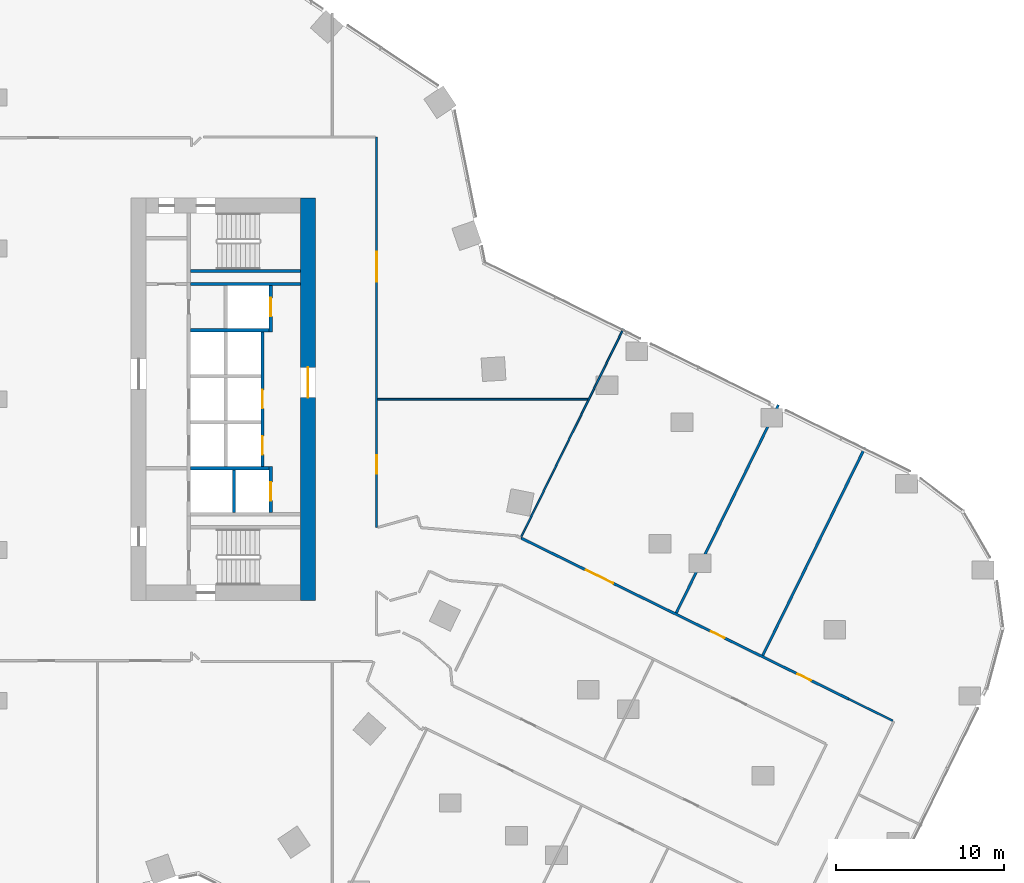
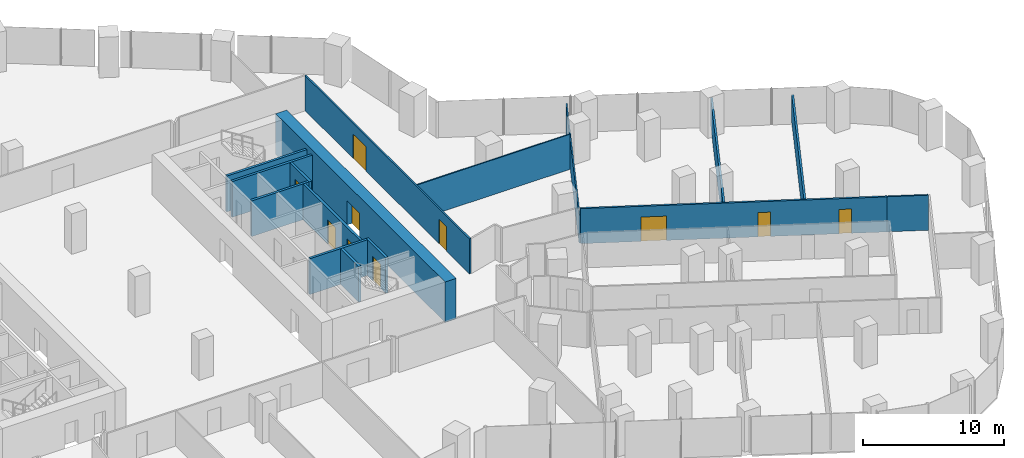
# One storey, part 31 of 38: 16 walls, 10 doors, 10 openings.
"""IFC4 building model written with IfcOpenShell, lengths in metres."""

from ifc_helpers import new_model, si_unit, direction, frame, frame_2d, origin, place, context, subcontext, project, spatial, rectangle, extrude, material, layer, layer_set, type_object, element, fill, save


model = new_model("IFC4")

# Units and contexts
model_context = context("Model", 3, precision=1e-05, world=origin(), true_north=direction((0.0, 1.0)))
body_context = subcontext(model_context, "Body", "Model", "MODEL_VIEW")
ifc_project = project(units=[si_unit("LENGTHUNIT", "METRE"), si_unit("AREAUNIT", "SQUARE_METRE"), si_unit("VOLUMEUNIT", "CUBIC_METRE"), si_unit("PLANEANGLEUNIT", "RADIAN"), si_unit("MASSUNIT", "GRAM", prefix="KILO")], contexts=[model_context])

# Site, building, storey
site_placement = place(None, origin())
site = spatial("IfcSite", under=ifc_project, at=site_placement, CompositionType="ELEMENT")
building_placement = place(site_placement, origin())
building = spatial("IfcBuilding", under=site, at=building_placement, Name="Orlundy Tower", CompositionType="ELEMENT")
storey_placement = place(building_placement, frame((0.0, 0.0, 69.300048828125)))
storey = spatial("IfcBuildingStorey", under=building, at=storey_placement, Name="L16", CompositionType="ELEMENT", Elevation=69.300048828125)

# Wall, opening, door
ifc_material_1 = material(Name="Concrete C80/95", Category="concrete")
ifc_layer_1 = layer(ifc_material_1, 0.89990234375)
ifc_layer_set_1 = layer_set([ifc_layer_1], Name="CORE WALL 900 C80/95")
wall_type_1 = type_object("IfcWallType", Name="CORE WALL 900 C80/95", PredefinedType="SHEAR", material=ifc_layer_set_1)
wall_1_placement = place(storey_placement, frame((18.550048828125, -12.0, 0.0), z_axis=(0.0, 0.0, 1.0), x_axis=(0.0, 1.0, 0.0)))
wall_1 = element("IfcWall", 1, at=wall_1_placement, inside=storey, type_object=wall_type_1, Name="Core wall E-E L16", PredefinedType="SHEAR", context=body_context, shape_type="SweptSolid", body=[
    extrude(rectangle(XDim=24.0, YDim=0.89990234375, at=frame_2d((12.0, 0.0))), origin(), (0.0, 0.0, 1.0), 3.5),
])
opening_1_placement = place(wall_1_placement, frame((12.10009765625, 0.0, 0.0)))
opening_1 = element("IfcOpeningElement", 2, at=opening_1_placement, cuts=wall_1, Name="Opening 14059", PredefinedType="OPENING", context=body_context, shape_type="SweptSolid", body=[
    extrude(rectangle(XDim=1.800048828125, YDim=2.10009765625, at=frame_2d((0.89990234375, 1.050048828125))), frame((0.0, 0.4599609375, 0.0), z_axis=(0.0, -1.0, 0.0), x_axis=(1.0, 0.0, 0.0)), (0.0, 0.0, 1.0), 0.919921875),
])
ifc_material_2 = material(Name="Timber door set", Category="wood")
door_type_1 = type_object("IfcDoorType", Name="Lobby Door 1800x2100", OperationType="DOUBLE_DOOR_DOUBLE_SWING", PredefinedType="DOOR", material=ifc_material_2)
door_1_placement = place(opening_1_placement, origin())
door_1 = element("IfcDoor", 3, at=door_1_placement, inside=storey, type_object=door_type_1, Name="Lift lobby door 14059", OperationType="SINGLE_SWING_RIGHT", OverallHeight=2.10009765625, OverallWidth=1.800048828125, PredefinedType="DOOR", context=body_context, shape_type="SweptSolid", body=[
    extrude(rectangle(XDim=1.800048828125, YDim=2.10009765625, at=frame_2d((0.89990234375, 1.050048828125))), frame((0.0, 0.02490234375, 0.0), z_axis=(0.0, -1.0, 0.0), x_axis=(1.0, 0.0, 0.0)), (0.0, 0.0, 1.0), 0.050048828125),
])
fill(opening_1, door_1)

# Walls
ifc_material_3 = material(Name="Gypsum board partition")
ifc_layer_2 = layer(ifc_material_3, 0.10009765625)
ifc_layer_set_2 = layer_set([ifc_layer_2], Name="Floor partition 100")
wall_type_2 = type_object("IfcWallType", Name="Floor partition 100", PredefinedType="PARTITIONING", material=ifc_layer_set_2)
wall_2_placement = place(storey_placement, frame((22.712890625, 0.0, 0.0), z_axis=(0.0, 0.0, 1.0), x_axis=(1.0, 0.0, 0.0)))
element("IfcWall", 4, at=wall_2_placement, inside=storey, type_object=wall_type_2, Name="wall-int-L16-051", PredefinedType="PARTITIONING", context=body_context, shape_type="SweptSolid", body=[
    extrude(rectangle(XDim=12.51904296875, YDim=0.10009765625, at=frame_2d((6.259521484375, 0.0))), origin(), (0.0, 0.0, 1.0), 3.030029296875),
])
ifc_material_4 = material(Name="Gypsum board partition")
ifc_layer_3 = layer(ifc_material_4, 0.10009765625)
ifc_layer_set_3 = layer_set([ifc_layer_3], Name="Floor partition 100 B")
wall_type_3 = type_object("IfcWallType", Name="Floor partition 100 B", PredefinedType="PARTITIONING", material=ifc_layer_set_3)
wall_3_placement = place(storey_placement, frame((31.24609375, -8.27587890625, 0.0), z_axis=(0.0, 0.0, 1.0), x_axis=(0.440984317846, 0.897514808465, 0.0)))
element("IfcWall", 5, at=wall_3_placement, inside=storey, type_object=wall_type_3, Name="wall-int-L16-079", PredefinedType="PARTITIONING", context=body_context, shape_type="SweptSolid", body=[
    extrude(rectangle(XDim=13.898193359375, YDim=0.10009765625, at=frame_2d((6.94921875, 0.0))), origin(), (0.0, 0.0, 1.0), 2.4189453125),
])
ifc_material_5 = material(Name="Gypsum board partition, double layer")
ifc_layer_4 = layer(ifc_material_5, 0.125)
ifc_layer_set_4 = layer_set([ifc_layer_4], Name="Floor partition 125")
wall_type_4 = type_object("IfcWallType", Name="Floor partition 125", PredefinedType="PARTITIONING", material=ifc_layer_set_4)
wall_4_placement = place(storey_placement, frame((53.4541015625, -19.18798828125, 0.0), z_axis=(0.0, 0.0, 1.0), x_axis=(-0.8975474006, 0.4409179784, 0.0)))
element("IfcWall", 6, at=wall_4_placement, inside=storey, type_object=wall_type_4, Name="wall-int-L16-033", PredefinedType="PARTITIONING", context=body_context, shape_type="SweptSolid", body=[
    extrude(rectangle(XDim=2.936767578125, YDim=0.125, at=frame_2d((1.46826171875, 0.0))), origin(), (0.0, 0.0, 1.0), 3.030029296875),
])

# Wall, openings, doors
wall_5_placement = place(storey_placement, frame((22.65087890625, 15.64990234375, 0.0), z_axis=(0.0, 0.0, 1.0), x_axis=(0.0, -1.0, 0.0)))
wall_5 = element("IfcWall", 7, at=wall_5_placement, inside=storey, type_object=wall_type_4, Name="wall-int-L16-092", PredefinedType="PARTITIONING", context=body_context, shape_type="SweptSolid", body=[
    extrude(rectangle(XDim=23.31884765625, YDim=0.125, at=frame_2d((11.659423828125, 0.0))), origin(), (0.0, 0.0, 1.0), 3.030029296875),
])
opening_2_placement = place(wall_5_placement, frame((19.0, 0.0, 0.0)))
opening_2 = element("IfcOpeningElement", 8, at=opening_2_placement, cuts=wall_5, Name="Opening 14131", PredefinedType="OPENING", context=body_context, shape_type="SweptSolid", body=[
    extrude(rectangle(XDim=1.10009765625, YDim=2.10009765625, at=frame_2d((0.550048828125, 1.050048828125))), frame((0.0, 0.072509765625, 0.0), z_axis=(0.0, -1.0, 0.0), x_axis=(1.0, 0.0, 0.0)), (0.0, 0.0, 1.0), 0.14501953125),
])
opening_3_placement = place(wall_5_placement, frame((6.85009765625, 0.0, 0.0)))
opening_3 = element("IfcOpeningElement", 9, at=opening_3_placement, cuts=wall_5, Name="Opening 14132", PredefinedType="OPENING", context=body_context, shape_type="SweptSolid", body=[
    extrude(rectangle(XDim=1.800048828125, YDim=2.10009765625, at=frame_2d((0.89990234375, 1.050048828125))), frame((0.0, 0.072509765625, 0.0), z_axis=(0.0, -1.0, 0.0), x_axis=(1.0, 0.0, 0.0)), (0.0, 0.0, 1.0), 0.14501953125),
])
ifc_material_6 = material(Name="Timber door leaf", Category="wood")
door_type_2 = type_object("IfcDoorType", Name="Floor door double 1800 FD30S", OperationType="NOTDEFINED", PredefinedType="DOOR", material=ifc_material_6)
door_2_placement = place(opening_3_placement, origin())
door_2 = element("IfcDoor", 10, at=door_2_placement, inside=storey, type_object=door_type_2, Name="Door 14132", OperationType="DOUBLE_DOOR_SINGLE_SWING", OverallHeight=2.10009765625, OverallWidth=1.800048828125, PredefinedType="DOOR", context=body_context, shape_type="SweptSolid", body=[
    extrude(rectangle(XDim=1.800048828125, YDim=2.10009765625, at=frame_2d((0.89990234375, 1.050048828125))), frame((0.0, 0.02490234375, 0.0), z_axis=(0.0, -1.0, 0.0), x_axis=(1.0, 0.0, 0.0)), (0.0, 0.0, 1.0), 0.050048828125),
])
fill(opening_3, door_2)
ifc_material_7 = material(Name="Timber door leaf", Category="wood")
door_type_3 = type_object("IfcDoorType", Name="Floor door xwide 1100 FD30S", OperationType="NOTDEFINED", PredefinedType="DOOR", material=ifc_material_7)
door_3_placement = place(opening_2_placement, origin())
door_3 = element("IfcDoor", 11, at=door_3_placement, inside=storey, type_object=door_type_3, Name="Door 14131", OperationType="SINGLE_SWING_RIGHT", OverallHeight=2.10009765625, OverallWidth=1.10009765625, PredefinedType="DOOR", context=body_context, shape_type="SweptSolid", body=[
    extrude(rectangle(XDim=1.10009765625, YDim=2.10009765625, at=frame_2d((0.550048828125, 1.050048828125))), frame((0.0, 0.02490234375, 0.0), z_axis=(0.0, -1.0, 0.0), x_axis=(1.0, 0.0, 0.0)), (0.0, 0.0, 1.0), 0.050048828125),
])
fill(opening_2, door_3)

# Walls
ifc_material_8 = material(Name="Blockwork shaft wall", Category="masonry")
ifc_layer_5 = layer(ifc_material_8, 0.14990234375)
ifc_layer_set_5 = layer_set([ifc_layer_5], Name="Floor shaft wall 150")
wall_type_5 = type_object("IfcWallType", Name="Floor shaft wall 150", PredefinedType="PARTITIONING", material=ifc_layer_set_5)
wall_6_placement = place(storey_placement, frame((45.68994140625, -15.2900390625, 0.0), z_axis=(0.0, 0.0, 1.0), x_axis=(0.441022179243, 0.89749620468, 0.0)))
element("IfcWall", 12, at=wall_6_placement, inside=storey, type_object=wall_type_5, Name="wall-int-L16-073", PredefinedType="PARTITIONING", context=body_context, shape_type="SweptSolid", body=[
    extrude(rectangle(XDim=13.8251953125, YDim=0.14990234375, at=frame_2d((6.91259765625, 0.0))), origin(), (0.0, 0.0, 1.0), 2.39501953125),
])
wall_7_placement = place(storey_placement, frame((40.529052734375, -12.75390625, 0.0), z_axis=(0.0, 0.0, 1.0), x_axis=(0.441035914892, 0.897489454966, 0.0)))
element("IfcWall", 13, at=wall_7_placement, inside=storey, type_object=wall_type_5, Name="wall-int-L16-076", PredefinedType="PARTITIONING", context=body_context, shape_type="SweptSolid", body=[
    extrude(rectangle(XDim=13.82421875, YDim=0.14990234375, at=frame_2d((6.912109375, 0.0))), origin(), (0.0, 0.0, 1.0), 2.39501953125),
])

# Wall, openings, doors
ifc_material_9 = material(Name="Blockwork shaft wall", Category="masonry")
ifc_layer_6 = layer(ifc_material_9, 0.14990234375)
ifc_layer_set_6 = layer_set([ifc_layer_6], Name="Floor shaft wall 150 B")
wall_type_6 = type_object("IfcWallType", Name="Floor shaft wall 150 B", PredefinedType="PARTITIONING", material=ifc_layer_set_6)
wall_8_placement = place(storey_placement, frame((31.291015625, -8.298095703125, 0.0), z_axis=(0.0, 0.0, 1.0), x_axis=(0.897505006542, -0.441004266683, 0.0)))
wall_8 = element("IfcWall", 14, at=wall_8_placement, inside=storey, type_object=wall_type_6, Name="wall-int-L16-032", PredefinedType="PARTITIONING", context=body_context, shape_type="SweptSolid", body=[
    extrude(rectangle(XDim=21.757080078125, YDim=0.14990234375, at=frame_2d((10.87841796875, 0.0))), origin(), (0.0, 0.0, 1.0), 3.030029296875),
])
opening_4_placement = place(wall_8_placement, frame((4.300048828125, 0.0, 0.0)))
opening_4 = element("IfcOpeningElement", 15, at=opening_4_placement, cuts=wall_8, Name="Opening 14100", PredefinedType="OPENING", context=body_context, shape_type="SweptSolid", body=[
    extrude(rectangle(XDim=1.800048828125, YDim=2.10009765625, at=frame_2d((0.89990234375, 1.050048828125))), frame((0.0, 0.0849609375, 0.0), z_axis=(0.0, -1.0, 0.0), x_axis=(1.0, 0.0, 0.0)), (0.0, 0.0, 1.0), 0.169921875),
])
opening_5_placement = place(wall_8_placement, frame((12.606201171875, 0.0, 0.0)))
opening_5 = element("IfcOpeningElement", 16, at=opening_5_placement, cuts=wall_8, Name="Opening 14103", PredefinedType="OPENING", context=body_context, shape_type="SweptSolid", body=[
    extrude(rectangle(XDim=0.89990234375, YDim=2.10009765625, at=frame_2d((0.449951171875, 1.050048828125))), frame((0.0, 0.0849609375, 0.0), z_axis=(0.0, -1.0, 0.0), x_axis=(1.0, 0.0, 0.0)), (0.0, 0.0, 1.0), 0.169921875),
])
opening_6_placement = place(wall_8_placement, frame((18.356689453125, 0.0, 0.0)))
opening_6 = element("IfcOpeningElement", 17, at=opening_6_placement, cuts=wall_8, Name="Opening 14106", PredefinedType="OPENING", context=body_context, shape_type="SweptSolid", body=[
    extrude(rectangle(XDim=0.89990234375, YDim=2.10009765625, at=frame_2d((0.449951171875, 1.050048828125))), frame((0.0, 0.0849609375, 0.0), z_axis=(0.0, -1.0, 0.0), x_axis=(1.0, 0.0, 0.0)), (0.0, 0.0, 1.0), 0.169921875),
])
ifc_material_10 = material(Name="Timber door leaf", Category="wood")
door_type_4 = type_object("IfcDoorType", Name="Floor door double 1800 FD60", OperationType="NOTDEFINED", PredefinedType="DOOR", material=ifc_material_10)
door_4_placement = place(opening_4_placement, origin())
door_4 = element("IfcDoor", 18, at=door_4_placement, inside=storey, type_object=door_type_4, Name="Door 14100", OperationType="DOUBLE_DOOR_SINGLE_SWING", OverallHeight=2.10009765625, OverallWidth=1.800048828125, PredefinedType="DOOR", context=body_context, shape_type="SweptSolid", body=[
    extrude(rectangle(XDim=1.800048828125, YDim=2.10009765625, at=frame_2d((0.89990234375, 1.050048828125))), frame((0.0, 0.02490234375, 0.0), z_axis=(0.0, -1.0, 0.0), x_axis=(1.0, 0.0, 0.0)), (0.0, 0.0, 1.0), 0.050048828125),
])
fill(opening_4, door_4)
ifc_material_11 = material(Name="Timber door leaf", Category="wood")
door_type_5 = type_object("IfcDoorType", Name="Floor door single 900 FD60", OperationType="NOTDEFINED", PredefinedType="DOOR", material=ifc_material_11)
door_5_placement = place(opening_5_placement, origin())
door_5 = element("IfcDoor", 19, at=door_5_placement, inside=storey, type_object=door_type_5, Name="Door 14103", OperationType="SINGLE_SWING_RIGHT", OverallHeight=2.10009765625, OverallWidth=0.89990234375, PredefinedType="DOOR", context=body_context, shape_type="SweptSolid", body=[
    extrude(rectangle(XDim=0.89990234375, YDim=2.10009765625, at=frame_2d((0.449951171875, 1.050048828125))), frame((0.0, 0.02490234375, 0.0), z_axis=(0.0, -1.0, 0.0), x_axis=(1.0, 0.0, 0.0)), (0.0, 0.0, 1.0), 0.050048828125),
])
fill(opening_5, door_5)
door_6_placement = place(opening_6_placement, origin())
door_6 = element("IfcDoor", 20, at=door_6_placement, inside=storey, type_object=door_type_5, Name="Door 14106", OperationType="SINGLE_SWING_RIGHT", OverallHeight=2.10009765625, OverallWidth=0.89990234375, PredefinedType="DOOR", context=body_context, shape_type="SweptSolid", body=[
    extrude(rectangle(XDim=0.89990234375, YDim=2.10009765625, at=frame_2d((0.449951171875, 1.050048828125))), frame((0.0, 0.02490234375, 0.0), z_axis=(0.0, -1.0, 0.0), x_axis=(1.0, 0.0, 0.0)), (0.0, 0.0, 1.0), 0.050048828125),
])
fill(opening_6, door_6)

# Walls
ifc_material_12 = material(Name="Concrete C40/50", Category="concrete")
ifc_layer_7 = layer(ifc_material_12, 0.199951171875)
ifc_layer_set_7 = layer_set([ifc_layer_7], Name="Load-bearing Shaft Wall 200")
wall_type_7 = type_object("IfcWallType", Name="Load-bearing Shaft Wall 200", PredefinedType="SOLIDWALL", material=ifc_layer_set_7)
wall_9_placement = place(storey_placement, frame((11.5400390625, 7.64990234375, 0.0), z_axis=(0.0, 0.0, 1.0), x_axis=(1.0, 0.0, 0.0)))
element("IfcWall", 21, at=wall_9_placement, inside=storey, type_object=wall_type_7, Name="Shaft wall E14-stair-side-s", PredefinedType="SOLIDWALL", context=body_context, shape_type="SweptSolid", body=[
    extrude(rectangle(XDim=6.56005859375, YDim=0.199951171875, at=frame_2d((3.280029296875, 0.0))), origin(), (0.0, 0.0, 1.0), 3.08984375),
])
ifc_material_13 = material(Name="Fire-rated blockwork shaft wall", Category="masonry")
ifc_layer_8 = layer(ifc_material_13, 0.199951171875)
ifc_layer_set_8 = layer_set([ifc_layer_8], Name="Shaft Wall 200")
wall_type_8 = type_object("IfcWallType", Name="Shaft Wall 200", PredefinedType="SOLIDWALL", material=ifc_layer_set_8)
wall_10_placement = place(storey_placement, frame((11.5400390625, 6.875, 0.0), z_axis=(0.0, 0.0, 1.0), x_axis=(1.0, 0.0, 0.0)))
element("IfcWall", 22, at=wall_10_placement, inside=storey, type_object=wall_type_8, Name="Shaft wall E14-zone-s", PredefinedType="SOLIDWALL", context=body_context, shape_type="SweptSolid", body=[
    extrude(rectangle(XDim=6.56005859375, YDim=0.199951171875, at=frame_2d((3.280029296875, 0.0))), origin(), (0.0, 0.0, 1.0), 3.08984375),
])
for number, where, z_axis, x_axis, name in (
    (23, (11.5400390625, 4.125, 0.0), (0.0, 0.0, 1.0), (1.0, 0.0, 0.0), "Shaft wall E14-cross-4.125"),
    (24, (11.5400390625, -4.125, 0.0), (0.0, 0.0, 1.0), (1.0, 0.0, 0.0), "Shaft wall E14-cross+4.125"),
):
    element("IfcWall", number, at=place(storey_placement, frame(where, z_axis=z_axis, x_axis=x_axis)), inside=storey, type_object=wall_type_8, Name=name, PredefinedType="SOLIDWALL", context=body_context, shape_type="SweptSolid", body=[
        extrude(rectangle(XDim=4.699951171875, YDim=0.199951171875, at=frame_2d((2.35009765625, 0.0))), origin(), (0.0, 0.0, 1.0), 3.08984375),
    ])
wall_11_placement = place(storey_placement, frame((14.139892578125, -4.22509765625, 0.0), z_axis=(0.0, 0.0, 1.0), x_axis=(0.0, -1.0, 0.0)))
element("IfcWall", 25, at=wall_11_placement, inside=storey, type_object=wall_type_8, Name="Shaft wall E14-mid-b", PredefinedType="SOLIDWALL", context=body_context, shape_type="SweptSolid", body=[
    extrude(rectangle(XDim=2.5498046875, YDim=0.199951171875, at=frame_2d((1.27490234375, 0.0))), origin(), (0.0, 0.0, 1.0), 3.08984375),
])

# Wall, opening, door
wall_12_placement = place(storey_placement, frame((16.340087890625, 6.77490234375, 0.0), z_axis=(0.0, 0.0, 1.0), x_axis=(0.0, -1.0, 0.0)))
wall_12 = element("IfcWall", 26, at=wall_12_placement, inside=storey, type_object=wall_type_8, Name="Shaft wall E14-front-o-a", PredefinedType="SOLIDWALL", context=body_context, shape_type="SweptSolid", body=[
    extrude(rectangle(XDim=2.75, YDim=0.199951171875, at=frame_2d((1.375, 0.0))), origin(), (0.0, 0.0, 1.0), 3.08984375),
])
opening_7_placement = place(wall_12_placement, frame((0.72509765625, 0.0, 0.0)))
opening_7 = element("IfcOpeningElement", 27, at=opening_7_placement, cuts=wall_12, Name="Opening 14050", PredefinedType="OPENING", context=body_context, shape_type="SweptSolid", body=[
    extrude(rectangle(XDim=1.10009765625, YDim=2.10009765625, at=frame_2d((0.550048828125, 1.050048828125))), frame((0.0, 0.110107421875, 0.0), z_axis=(0.0, -1.0, 0.0), x_axis=(1.0, 0.0, 0.0)), (0.0, 0.0, 1.0), 0.22021484375),
])
ifc_material_14 = material(Name="Steel door set", Category="steel")
door_type_6 = type_object("IfcDoorType", Name="Landing Door 1100x2100", OperationType="DOUBLE_DOOR_SLIDING", PredefinedType="DOOR", material=ifc_material_14)
door_7_placement = place(opening_7_placement, origin())
door_7 = element("IfcDoor", 28, at=door_7_placement, inside=storey, type_object=door_type_6, Name="Lift landing door LV-02 14050", OperationType="DOUBLE_DOOR_SLIDING", OverallHeight=2.10009765625, OverallWidth=1.10009765625, PredefinedType="DOOR", context=body_context, shape_type="SweptSolid", body=[
    extrude(rectangle(XDim=1.10009765625, YDim=2.10009765625, at=frame_2d((0.550048828125, 1.050048828125))), frame((0.0, 0.02490234375, 0.0), z_axis=(0.0, -1.0, 0.0), x_axis=(1.0, 0.0, 0.0)), (0.0, 0.0, 1.0), 0.050048828125),
])
fill(opening_7, door_7)

# Wall, openings, doors
wall_13_placement = place(storey_placement, frame((15.840087890625, 4.02490234375, 0.0), z_axis=(0.0, 0.0, 1.0), x_axis=(0.0, -1.0, 0.0)))
wall_13 = element("IfcWall", 29, at=wall_13_placement, inside=storey, type_object=wall_type_8, Name="Shaft wall E14-front-o-b", PredefinedType="SOLIDWALL", context=body_context, shape_type="SweptSolid", body=[
    extrude(rectangle(XDim=8.0498046875, YDim=0.199951171875, at=frame_2d((4.02490234375, 0.0))), origin(), (0.0, 0.0, 1.0), 3.08984375),
])
opening_8_placement = place(wall_13_placement, frame((3.47509765625, 0.0, 0.0)))
opening_8 = element("IfcOpeningElement", 30, at=opening_8_placement, cuts=wall_13, Name="Opening 14052", PredefinedType="OPENING", context=body_context, shape_type="SweptSolid", body=[
    extrude(rectangle(XDim=1.10009765625, YDim=2.10009765625, at=frame_2d((0.550048828125, 1.050048828125))), frame((0.0, 0.110107421875, 0.0), z_axis=(0.0, -1.0, 0.0), x_axis=(1.0, 0.0, 0.0)), (0.0, 0.0, 1.0), 0.22021484375),
])
opening_9_placement = place(wall_13_placement, frame((6.22509765625, 0.0, 0.0)))
opening_9 = element("IfcOpeningElement", 31, at=opening_9_placement, cuts=wall_13, Name="Opening 14054", PredefinedType="OPENING", context=body_context, shape_type="SweptSolid", body=[
    extrude(rectangle(XDim=1.10009765625, YDim=2.10009765625, at=frame_2d((0.550048828125, 1.050048828125))), frame((0.0, 0.110107421875, 0.0), z_axis=(0.0, -1.0, 0.0), x_axis=(1.0, 0.0, 0.0)), (0.0, 0.0, 1.0), 0.22021484375),
])
door_8_placement = place(opening_8_placement, origin())
door_8 = element("IfcDoor", 32, at=door_8_placement, inside=storey, type_object=door_type_6, Name="Lift landing door LP-06 14052", OperationType="DOUBLE_DOOR_SLIDING", OverallHeight=2.10009765625, OverallWidth=1.10009765625, PredefinedType="DOOR", context=body_context, shape_type="SweptSolid", body=[
    extrude(rectangle(XDim=1.10009765625, YDim=2.10009765625, at=frame_2d((0.550048828125, 1.050048828125))), frame((0.0, 0.02490234375, 0.0), z_axis=(0.0, -1.0, 0.0), x_axis=(1.0, 0.0, 0.0)), (0.0, 0.0, 1.0), 0.050048828125),
])
fill(opening_8, door_8)
door_9_placement = place(opening_9_placement, origin())
door_9 = element("IfcDoor", 33, at=door_9_placement, inside=storey, type_object=door_type_6, Name="Lift landing door LP-08 14054", OperationType="DOUBLE_DOOR_SLIDING", OverallHeight=2.10009765625, OverallWidth=1.10009765625, PredefinedType="DOOR", context=body_context, shape_type="SweptSolid", body=[
    extrude(rectangle(XDim=1.10009765625, YDim=2.10009765625, at=frame_2d((0.550048828125, 1.050048828125))), frame((0.0, 0.02490234375, 0.0), z_axis=(0.0, -1.0, 0.0), x_axis=(1.0, 0.0, 0.0)), (0.0, 0.0, 1.0), 0.050048828125),
])
fill(opening_9, door_9)

# Wall, opening, door
wall_14_placement = place(storey_placement, frame((16.340087890625, -4.02490234375, 0.0), z_axis=(0.0, 0.0, 1.0), x_axis=(0.0, -1.0, 0.0)))
wall_14 = element("IfcWall", 34, at=wall_14_placement, inside=storey, type_object=wall_type_8, Name="Shaft wall E14-front-o-c", PredefinedType="SOLIDWALL", context=body_context, shape_type="SweptSolid", body=[
    extrude(rectangle(XDim=2.75, YDim=0.199951171875, at=frame_2d((1.375, 0.0))), origin(), (0.0, 0.0, 1.0), 3.08984375),
])
opening_10_placement = place(wall_14_placement, frame((0.925048828125, 0.0, 0.0)))
opening_10 = element("IfcOpeningElement", 35, at=opening_10_placement, cuts=wall_14, Name="Opening 14056", PredefinedType="OPENING", context=body_context, shape_type="SweptSolid", body=[
    extrude(rectangle(XDim=1.10009765625, YDim=2.10009765625, at=frame_2d((0.550048828125, 1.050048828125))), frame((0.0, 0.110107421875, 0.0), z_axis=(0.0, -1.0, 0.0), x_axis=(1.0, 0.0, 0.0)), (0.0, 0.0, 1.0), 0.22021484375),
])
door_10_placement = place(opening_10_placement, origin())
door_10 = element("IfcDoor", 36, at=door_10_placement, inside=storey, type_object=door_type_6, Name="Lift landing door LP-09 14056", OperationType="DOUBLE_DOOR_SLIDING", OverallHeight=2.10009765625, OverallWidth=1.10009765625, PredefinedType="DOOR", context=body_context, shape_type="SweptSolid", body=[
    extrude(rectangle(XDim=1.10009765625, YDim=2.10009765625, at=frame_2d((0.550048828125, 1.050048828125))), frame((0.0, 0.02490234375, 0.0), z_axis=(0.0, -1.0, 0.0), x_axis=(1.0, 0.0, 0.0)), (0.0, 0.0, 1.0), 0.050048828125),
])
fill(opening_10, door_10)

save(model, "model.ifc")
